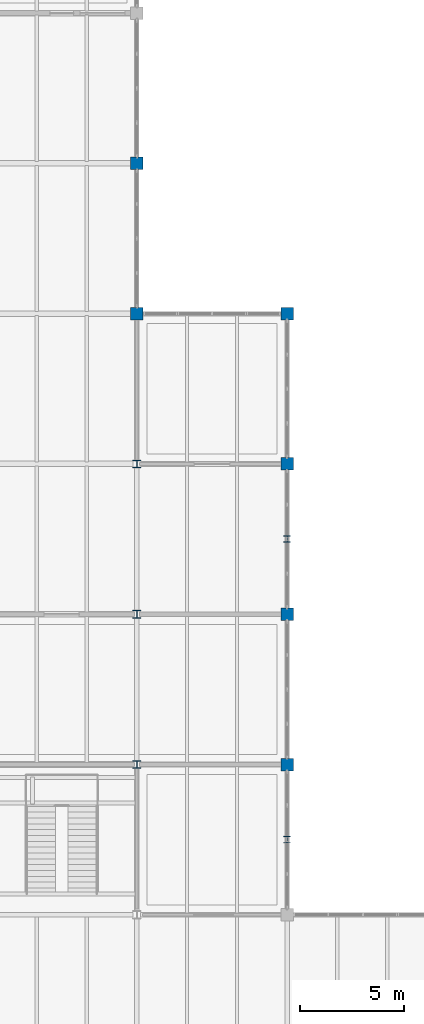
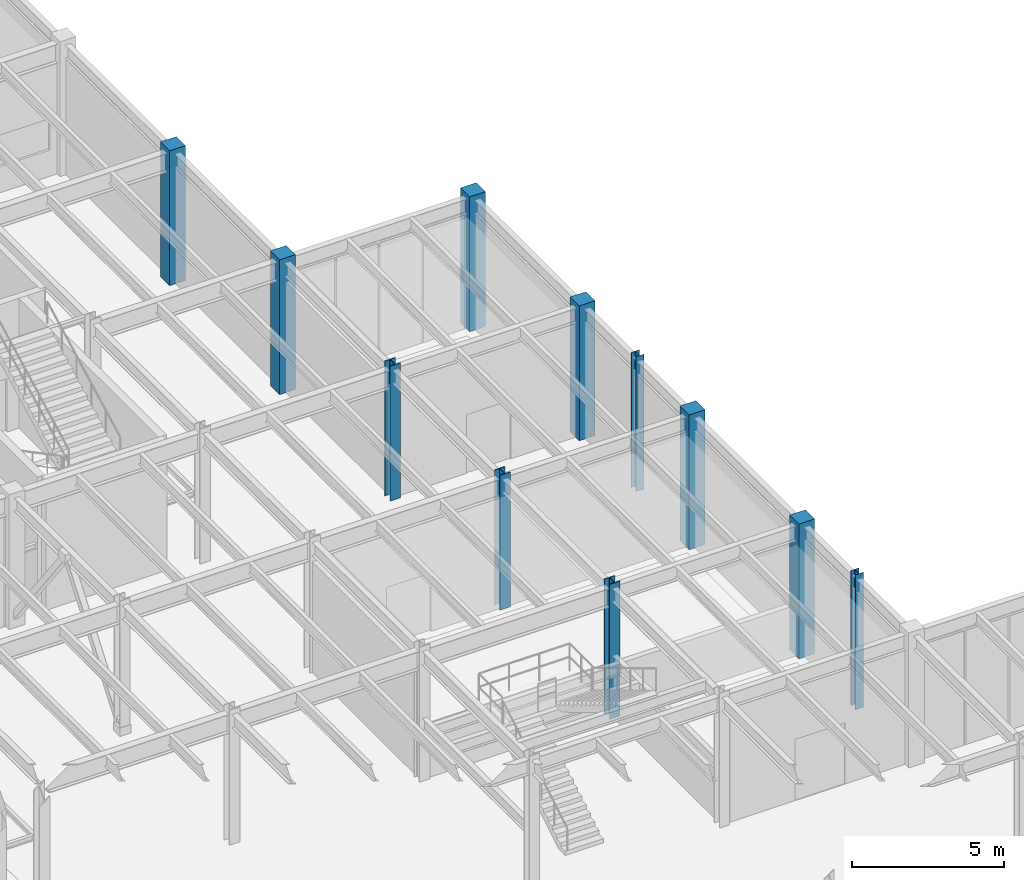
# One storey, part 17 of 97: 11 columns.
"""IFC4 building model written with IfcOpenShell, lengths in metres."""

import ifcopenshell
import ifcopenshell.guid

model = None  # the IFC model being written
_history = None  # IfcOwnerHistory: only IFC2X3 demands one
_inside = {}  # id of a spatial element -> (the spatial element, [elements in it])
_under = {}  # id of a project, library or spatial element -> (it, [spatial elements below it])
_declared = {}  # id of a project -> (the project, [libraries it declares])
_typed = {}  # id of a type object -> (the type object, [elements of that type])
_made_of = {}  # id of a material, layer set ... -> (it, [elements and type objects made of it])


def new_model(schema):
    """Start an empty IFC model of exactly this schema.

    Asked for "IFC4X3", IfcOpenShell would pick the latest addendum, in which some entities
    have other attributes; the version numbers below select the first issue.
    IFC2X3 requires an IfcOwnerHistory on every rooted entity: one is made here for all.
    """
    global model, _history
    if schema == "IFC4X3":
        model = ifcopenshell.file(schema_version=(4, 3, 0, 0))
    else:
        model = ifcopenshell.file(schema=schema)
    _inside.clear()
    _under.clear()
    _declared.clear()
    _typed.clear()
    _made_of.clear()
    _history = None
    if model.schema == "IFC2X3":
        org = make("IfcOrganization", Name="unknown")
        user = make(
            "IfcPersonAndOrganization",
            ThePerson=make("IfcPerson", FamilyName="unknown"),
            TheOrganization=org,
        )
        app = make(
            "IfcApplication",
            ApplicationDeveloper=org,
            Version="unknown",
            ApplicationFullName="unknown",
            ApplicationIdentifier="unknown",
        )
        _history = make(
            "IfcOwnerHistory",
            OwningUser=user,
            OwningApplication=app,
            ChangeAction="ADDED",
            CreationDate=0,
        )
    return model


def make(cls, **values):
    """One entity of the class cls with the attributes given. An attribute that is None is left unset."""
    return model.create_entity(
        cls, **{name: value for name, value in values.items() if value is not None}
    )


def rooted(cls, **values):
    """An entity with a GlobalId (a new one), such as an element, a storey or a relation."""
    return make(cls, GlobalId=ifcopenshell.guid.new(), OwnerHistory=_history, **values)


def si_unit(unit_type, name, prefix=None):
    """IfcSIUnit, for example si_unit("LENGTHUNIT", "METRE", prefix="MILLI")."""
    return make("IfcSIUnit", UnitType=unit_type, Prefix=prefix, Name=name)


def assignment(units):
    """IfcUnitAssignment: the units of a project."""
    return None if units is None else make("IfcUnitAssignment", Units=units)


def point(xyz):
    """IfcCartesianPoint."""
    return None if xyz is None else make("IfcCartesianPoint", Coordinates=xyz)


def direction(xyz):
    """IfcDirection."""
    return None if xyz is None else make("IfcDirection", DirectionRatios=xyz)


def frame(location, z_axis=None, x_axis=None):
    """IfcAxis2Placement3D, a coordinate frame: its origin and axes. An axis left out is left unset."""
    return make(
        "IfcAxis2Placement3D",
        Location=point(location),
        Axis=direction(z_axis),
        RefDirection=direction(x_axis),
    )


def frame_2d(location, x_axis=None):
    """IfcAxis2Placement2D, a coordinate frame in the plane: its origin and x axis."""
    return make(
        "IfcAxis2Placement2D", Location=point(location), RefDirection=direction(x_axis)
    )


def origin():
    """The frame at (0, 0, 0) with its axes left unset."""
    return frame((0.0, 0.0, 0.0))


def origin_2d():
    """The frame at (0, 0) in the plane with its x axis left unset."""
    return frame_2d((0.0, 0.0))


def place(relative_to, where):
    """IfcLocalPlacement: puts the frame where relative to a parent placement (None: the world)."""
    return make(
        "IfcLocalPlacement", PlacementRelTo=relative_to, RelativePlacement=where
    )


def context(
    kind, dimensions, precision=None, world=None, true_north=None, identifier=None
):
    """IfcGeometricRepresentationContext, for example the 3D "Model" context."""
    return make(
        "IfcGeometricRepresentationContext",
        ContextIdentifier=identifier,
        ContextType=kind,
        CoordinateSpaceDimension=dimensions,
        Precision=precision,
        WorldCoordinateSystem=world,
        TrueNorth=true_north,
    )


def subcontext(parent, identifier, kind, view, scale=None):
    """IfcGeometricRepresentationSubContext, for example "Body" below "Model"."""
    return make(
        "IfcGeometricRepresentationSubContext",
        ContextIdentifier=identifier,
        ContextType=kind,
        ParentContext=parent,
        TargetScale=scale,
        TargetView=view,
    )


def project(units=None, contexts=None):
    """IfcProject with its units and contexts."""
    return rooted(
        "IfcProject",
        Name="project",
        RepresentationContexts=contexts,
        UnitsInContext=assignment(units),
    )


def spatial(cls, under=None, at=None, **own):
    """A site, building, storey or space (cls), placed at a placement, below another one or the project."""
    s = rooted(cls, ObjectPlacement=at, **own)
    if under is not None:
        _under.setdefault(under.id(), (under, []))[1].append(s)
    return s


def profile(cls, at=None, kind="AREA", **sizes):
    """A parametric profile (cls). Its sizes go by their IFC names, for example OverallWidth=200.0."""
    return make(cls, ProfileType=kind, Position=at, **sizes)


def rectangle(**sizes):
    """IfcRectangleProfileDef."""
    return profile("IfcRectangleProfileDef", **sizes)


def i_section(**sizes):
    """IfcIShapeProfileDef."""
    return profile("IfcIShapeProfileDef", **sizes)


def extrude(swept, where, along, depth):
    """IfcExtrudedAreaSolid: the profile swept, set in the frame where, extruded along a direction by depth."""
    return make(
        "IfcExtrudedAreaSolid",
        SweptArea=swept,
        Position=where,
        ExtrudedDirection=direction(along),
        Depth=depth,
    )


def shape(context_of_items, identifier, shape_type, items):
    """IfcShapeRepresentation: the items that make up one representation, for example the "Body"."""
    return make(
        "IfcShapeRepresentation",
        ContextOfItems=context_of_items,
        RepresentationIdentifier=identifier,
        RepresentationType=shape_type,
        Items=items,
    )


def material(Name=None, Category=None):
    """IfcMaterial."""
    return make("IfcMaterial", Name=Name, Category=Category)


def material_profile(
    of_material, cross_section, Name=None, Category=None, Priority=None
):
    """IfcMaterialProfile: a cross section and its material."""
    return make(
        "IfcMaterialProfile",
        Name=Name,
        Material=of_material,
        Profile=cross_section,
        Priority=Priority,
        Category=Category,
    )


def profile_set(profiles, Name=None, composite=None):
    """IfcMaterialProfileSet."""
    return make(
        "IfcMaterialProfileSet",
        Name=Name,
        MaterialProfiles=profiles,
        CompositeProfile=composite,
    )


def made_of(thing, what):
    """Note that an element or type object is made of a material, layer set ...; save() writes the relation."""
    if what is not None:
        _made_of.setdefault(what.id(), (what, []))[1].append(thing)
    return thing


def type_object(cls, material=None, **own):
    """A type object (cls), such as IfcWallType, which elements share."""
    return made_of(rooted(cls, **own), material)


def element(
    cls,
    number,
    at=None,
    inside=None,
    cuts=None,
    type_object=None,
    material=None,
    context=None,
    identifier="Body",
    shape_type=None,
    held_by="IfcProductDefinitionShape",
    body=None,
    shapes=None,
    **own,
):
    """One element of the class cls, such as IfcWall. Its Tag is "e" and its number.

    at: its placement. inside: the storey or other place that contains it. cuts: it is an
    opening in that element (IfcRelVoidsElement). A single representation is given by context,
    identifier, shape_type and body (its items); several are given by shapes. held_by: the class
    of the entity that holds the representations. save() writes the other relations.
    """
    e = rooted(cls, Tag="e%d" % number, ObjectPlacement=at, **own)
    if body is not None:
        shapes = [shape(context, identifier, shape_type, body)]
    if shapes is not None:
        e.Representation = make(held_by, Representations=shapes)
    if inside is not None:
        _inside.setdefault(inside.id(), (inside, []))[1].append(e)
    if cuts is not None:
        rooted(
            "IfcRelVoidsElement", RelatingBuildingElement=cuts, RelatedOpeningElement=e
        )
    if type_object is not None:
        _typed.setdefault(type_object.id(), (type_object, []))[1].append(e)
    return made_of(e, material)


def aggregate(whole, parts):
    """IfcRelAggregates: a whole, such as a stair, and the parts it consists of."""
    return rooted("IfcRelAggregates", RelatingObject=whole, RelatedObjects=parts)


def save(model, path):
    """Write the relations noted so far, then the file.

    IfcRelAggregates (storeys below a building ...), IfcRelContainedInSpatialStructure (elements
    in a storey), IfcRelDefinesByType, IfcRelAssociatesMaterial and IfcRelDeclares: one each for
    every whole, place, type object, material and project.
    """
    for whole, parts in _under.values():
        aggregate(whole, parts)
    for where, things in _inside.values():
        rooted(
            "IfcRelContainedInSpatialStructure",
            RelatedElements=things,
            RelatingStructure=where,
        )
    for kind, things in _typed.values():
        rooted("IfcRelDefinesByType", RelatedObjects=things, RelatingType=kind)
    for what, things in _made_of.values():
        rooted("IfcRelAssociatesMaterial", RelatedObjects=things, RelatingMaterial=what)
    for by, libraries in _declared.values():
        rooted("IfcRelDeclares", RelatingContext=by, RelatedDefinitions=libraries)
    model.write(path)


model = new_model("IFC4")

# Units and contexts
model_context = context("Model", 3, precision=1e-05, world=origin(), true_north=direction((0.0, 1.0)))
body_context = subcontext(model_context, "Body", "Model", "MODEL_VIEW")
ifc_project = project(units=[si_unit("LENGTHUNIT", "METRE"), si_unit("AREAUNIT", "SQUARE_METRE"), si_unit("VOLUMEUNIT", "CUBIC_METRE"), si_unit("PLANEANGLEUNIT", "RADIAN"), si_unit("MASSUNIT", "GRAM", prefix="KILO")], contexts=[model_context])

# Site, building, storey
site_placement = place(None, origin())
site = spatial("IfcSite", under=ifc_project, at=site_placement, CompositionType="ELEMENT")
building_placement = place(site_placement, origin())
building = spatial("IfcBuilding", under=site, at=building_placement, Name="Sillqori Civic Hall", CompositionType="ELEMENT")
storey_placement = place(building_placement, origin())
storey = spatial("IfcBuildingStorey", under=building, at=storey_placement, Name="L01", CompositionType="ELEMENT", Elevation=0.0)

# Columns
ifc_material_1 = material(Name="Concrete C35/45 (H35)", Category="concrete")
ifc_material_profile_1 = material_profile(ifc_material_1, rectangle(XDim=0.60009765625, YDim=0.60009765625, at=origin_2d()), Name="RC 600x600")
ifc_profile_set_1 = profile_set([ifc_material_profile_1], Name="Concrete C35/45 (H35)")
column_type_1 = type_object("IfcColumnType", Name="COL-RC600", PredefinedType="COLUMN", material=ifc_profile_set_1)
for number, where, z_axis, x_axis, name in (
    (1, (136.800048828125, 57.60009765625, 0.0), (0.0, 0.0, 1.0), (1.0, 0.0, 0.0), "L01 column 19-8"),
    (2, (136.800048828125, 64.800048828125, 0.0), (0.0, 0.0, 1.0), (1.0, 0.0, 0.0), "L01 column 19-9"),
    (3, (144.0, 36.0, 0.0), (0.0, 0.0, 1.0), (1.0, 0.0, 0.0), "L01 column 20-5"),
    (4, (144.0, 43.199951171875, 0.0), (0.0, 0.0, 1.0), (1.0, 0.0, 0.0), "L01 column 20-6"),
    (5, (144.0, 50.39990234375, 0.0), (0.0, 0.0, 1.0), (1.0, 0.0, 0.0), "L01 column 20-7"),
    (6, (144.0, 57.60009765625, 0.0), (0.0, 0.0, 1.0), (1.0, 0.0, 0.0), "L01 column 20-8"),
):
    element("IfcColumn", number, at=place(storey_placement, frame(where, z_axis=z_axis, x_axis=x_axis)), inside=storey, type_object=column_type_1, Name=name, PredefinedType="COLUMN", context=body_context, shape_type="SweptSolid", body=[
        extrude(rectangle(XDim=0.60009765625, YDim=0.60009765625, at=origin_2d()), origin(), (0.0, 0.0, 1.0), 5.39990234375),
    ])
ifc_material_2 = material(Name="Steel ASTM A992", Category="steel")
ifc_material_profile_2 = material_profile(ifc_material_2, i_section(OverallWidth=0.39404296875, OverallDepth=0.3759765625, WebThickness=0.017333984375, FlangeThickness=0.027587890625, FilletRadius=0.014892578125, at=origin_2d()), Name="W14X145")
ifc_profile_set_2 = profile_set([ifc_material_profile_2], Name="Steel ASTM A992")
column_type_2 = type_object("IfcColumnType", Name="COL-W14X145", PredefinedType="COLUMN", material=ifc_profile_set_2)
for number, where, z_axis, x_axis, name in (
    (7, (136.800048828125, 36.0, 0.0), (0.0, 0.0, 1.0), (1.0, 0.0, 0.0), "L01 column 19-5"),
    (8, (136.800048828125, 43.199951171875, 0.0), (0.0, 0.0, 1.0), (1.0, 0.0, 0.0), "L01 column 19-6"),
    (9, (136.800048828125, 50.39990234375, 0.0), (0.0, 0.0, 1.0), (1.0, 0.0, 0.0), "L01 column 19-7"),
):
    element("IfcColumn", number, at=place(storey_placement, frame(where, z_axis=z_axis, x_axis=x_axis)), inside=storey, type_object=column_type_2, Name=name, PredefinedType="COLUMN", context=body_context, shape_type="SweptSolid", body=[
        extrude(i_section(OverallWidth=0.39404296875, OverallDepth=0.3759765625, WebThickness=0.017333984375, FlangeThickness=0.027587890625, FilletRadius=0.014892578125, at=origin_2d()), origin(), (0.0, 0.0, 1.0), 5.39990234375),
    ])
ifc_material_profile_3 = material_profile(ifc_material_2, i_section(OverallWidth=0.304931640625, OverallDepth=0.306884765625, WebThickness=0.010009765625, FlangeThickness=0.015380859375, FilletRadius=0.014892578125, at=origin_2d()), Name="W12X65")
ifc_profile_set_3 = profile_set([ifc_material_profile_3], Name="Steel ASTM A992")
column_type_3 = type_object("IfcColumnType", Name="PIL-W12X65", PredefinedType="PILASTER", material=ifc_profile_set_3)
for number, where, z_axis, x_axis, name in (
    (10, (144.0, 32.39990234375, 0.0), (0.0, 0.0, 1.0), (1.0, 0.0, 0.0), "L01 facade pilaster 08"),
    (11, (144.0, 46.800048828125, 0.0), (0.0, 0.0, 1.0), (1.0, 0.0, 0.0), "L01 facade pilaster 09"),
):
    element("IfcColumn", number, at=place(storey_placement, frame(where, z_axis=z_axis, x_axis=x_axis)), inside=storey, type_object=column_type_3, Name=name, PredefinedType="PILASTER", context=body_context, shape_type="SweptSolid", body=[
        extrude(i_section(OverallWidth=0.304931640625, OverallDepth=0.306884765625, WebThickness=0.010009765625, FlangeThickness=0.015380859375, FilletRadius=0.014892578125, at=origin_2d()), origin(), (0.0, 0.0, 1.0), 5.39990234375),
    ])

save(model, "model.ifc")
